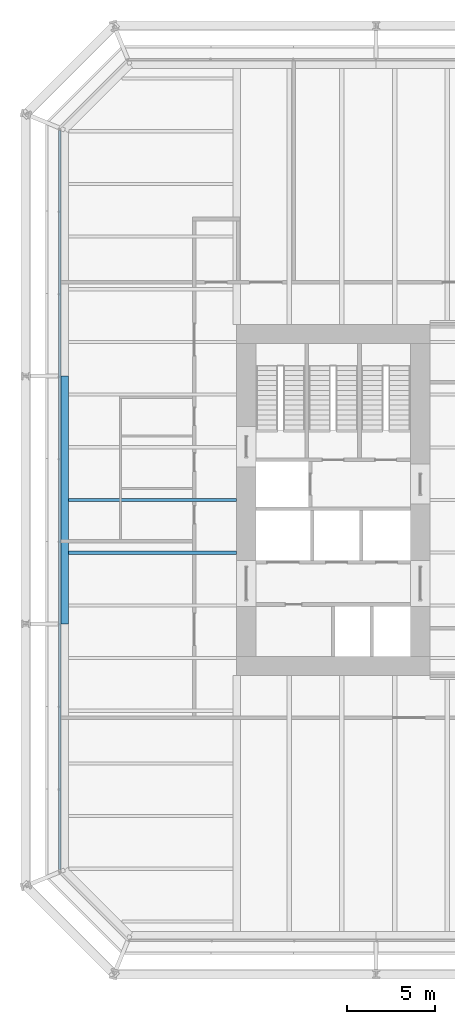
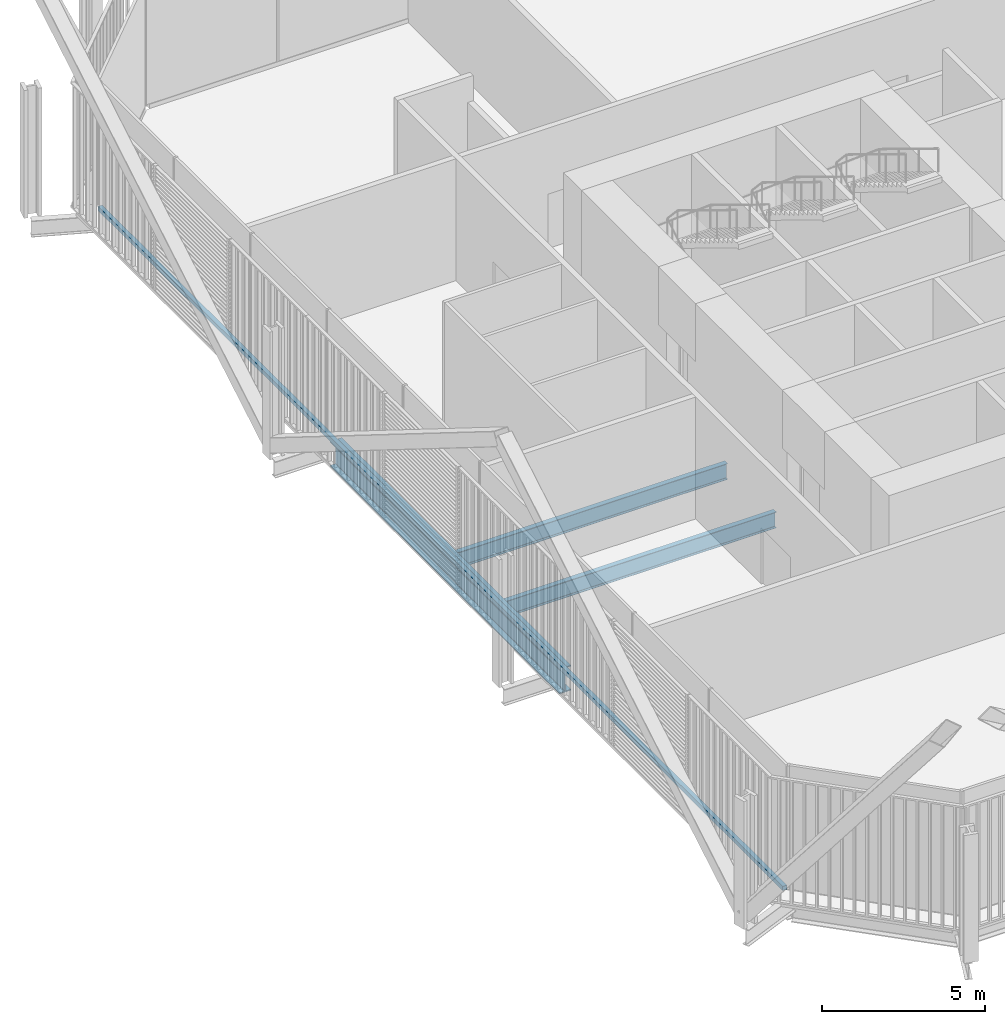
# One storey, part 6 of 22: 3 beams, 1 member, 1 element without a shape of its own.
"""IFC4 building model written with IfcOpenShell, lengths in metres."""

from ifc_helpers import new_model, si_unit, direction, frame, origin, origin_2d, place, context, subcontext, project, spatial, rectangle, i_section, extrude, material, layer, layer_set, material_profile, profile_set, type_object, element, aggregate, save


model = new_model("IFC4")

# Units and contexts
model_context = context("Model", 3, precision=1e-05, world=origin(), true_north=direction((0.0, 1.0)))
body_context = subcontext(model_context, "Body", "Model", "MODEL_VIEW")
ifc_project = project(units=[si_unit("LENGTHUNIT", "METRE"), si_unit("AREAUNIT", "SQUARE_METRE"), si_unit("VOLUMEUNIT", "CUBIC_METRE"), si_unit("PLANEANGLEUNIT", "RADIAN"), si_unit("MASSUNIT", "GRAM", prefix="KILO")], contexts=[model_context])

# Site, building, storey
site_placement = place(None, origin())
site = spatial("IfcSite", under=ifc_project, at=site_placement, CompositionType="ELEMENT")
building_placement = place(site_placement, origin())
building = spatial("IfcBuilding", under=site, at=building_placement, Name="Millrace Tower", CompositionType="ELEMENT")
storey_placement = place(building_placement, frame((0.0, 0.0, 54.5)))
storey = spatial("IfcBuildingStorey", under=building, at=storey_placement, Name="L12", CompositionType="ELEMENT", Elevation=54.5)

# Curtain wall, member
ifc_material_1 = material(Name="Aluminium and glass", Category="aluminium")
ifc_layer = layer(ifc_material_1, 0.14990234375)
ifc_layer_set = layer_set([ifc_layer], Name="Aluminium and glass")
curtain_wall_type = type_object("IfcCurtainWallType", Name="CW-2 data hall insulated curtain wall", PredefinedType="NOTDEFINED", material=ifc_layer_set)
curtain_wall_placement = place(storey_placement, origin())
curtain_wall = element("IfcCurtainWall", 1, at=curtain_wall_placement, inside=storey, type_object=curtain_wall_type, Name="Curtain wall A-F08 L12", PredefinedType="NOTDEFINED")
ifc_material_2 = material(Name="Aluminium", Category="aluminium")
ifc_material_profile_1 = material_profile(ifc_material_2, rectangle(XDim=0.14990234375, YDim=0.159912109375, at=origin_2d()))
ifc_profile_set_1 = profile_set([ifc_material_profile_1], Name="Aluminium")
member_type = type_object("IfcMemberType", Name="CW-2 data hall insulated curtain wall transom", PredefinedType="USERDEFINED", material=ifc_profile_set_1)
member_placement = place(storey_placement, frame((-25.074951171875, 21.050048828125, 0.080078125), z_axis=(0.0, -1.0, 0.0), x_axis=(1.0, 0.0, 0.0)))
member = element("IfcMember", 2, at=member_placement, type_object=member_type, Name="CW2 transom A-F08.1", ObjectType="TRANSOM", PredefinedType="USERDEFINED", context=body_context, shape_type="SweptSolid", body=[
    extrude(rectangle(XDim=0.14990234375, YDim=0.159912109375, at=origin_2d()), origin(), (0.0, 0.0, 1.0), 42.10009765625),
])
aggregate(curtain_wall, [member])

# Beams
ifc_material_3 = material(Name="Steel ASTM A992 Grade 50", Category="steel")
ifc_material_profile_2 = material_profile(ifc_material_3, i_section(OverallWidth=0.1787109375, OverallDepth=0.60205078125, WebThickness=0.010986328125, FlangeThickness=0.014892578125, FilletRadius=0.0126953125, at=origin_2d()))
ifc_profile_set_2 = profile_set([ifc_material_profile_2], Name="Steel ASTM A992 Grade 50")
beam_type_1 = type_object("IfcBeamType", Name="Floor beam W24x62", PredefinedType="JOIST", material=ifc_profile_set_2)
for number, where, z_axis, x_axis, name in (
    (3, (-24.578369140625, -3.0, -0.52587890625), (1.0, 0.0, 0.0), (0.0, 1.0, 0.0), "BM-A-L12-S1-S018"),
    (4, (-24.578369140625, 0.0, -0.52587890625), (1.0, 0.0, 0.0), (0.0, 1.0, 0.0), "BM-A-L12-S1-S021"),
):
    element("IfcBeam", number, at=place(storey_placement, frame(where, z_axis=z_axis, x_axis=x_axis)), inside=storey, type_object=beam_type_1, Name=name, PredefinedType="JOIST", context=body_context, shape_type="SweptSolid", body=[
        extrude(i_section(OverallWidth=0.1787109375, OverallDepth=0.60205078125, WebThickness=0.010986328125, FlangeThickness=0.014892578125, FilletRadius=0.0126953125, at=origin_2d()), origin(), (0.0, 0.0, 1.0), 9.578369140625),
    ])
ifc_material_4 = material(Name="Steel ASTM A992 Grade 50", Category="steel")
ifc_material_profile_3 = material_profile(ifc_material_4, i_section(OverallWidth=0.421630859375, OverallDepth=0.937255859375, WebThickness=0.021240234375, FlangeThickness=0.03662109375, FilletRadius=0.024169921875, at=origin_2d()))
ifc_profile_set_3 = profile_set([ifc_material_profile_3], Name="Steel ASTM A992 Grade 50")
beam_type_2 = type_object("IfcBeamType", Name="Ring beam medium span W36x262", PredefinedType="SPANDREL", material=ifc_profile_set_3)
beam_placement = place(storey_placement, frame((-24.7890625, -7.050048828125, -0.693603515625), z_axis=(0.0, 1.0, 0.0), x_axis=(-1.0, 0.0, 0.0)))
element("IfcBeam", 5, at=beam_placement, inside=storey, type_object=beam_type_2, Name="RNG-A-L12-S1-02", PredefinedType="SPANDREL", context=body_context, shape_type="SweptSolid", body=[
    extrude(i_section(OverallWidth=0.421630859375, OverallDepth=0.937255859375, WebThickness=0.021240234375, FlangeThickness=0.03662109375, FilletRadius=0.024169921875, at=origin_2d()), origin(), (0.0, 0.0, 1.0), 14.10009765625),
])

save(model, "model.ifc")
